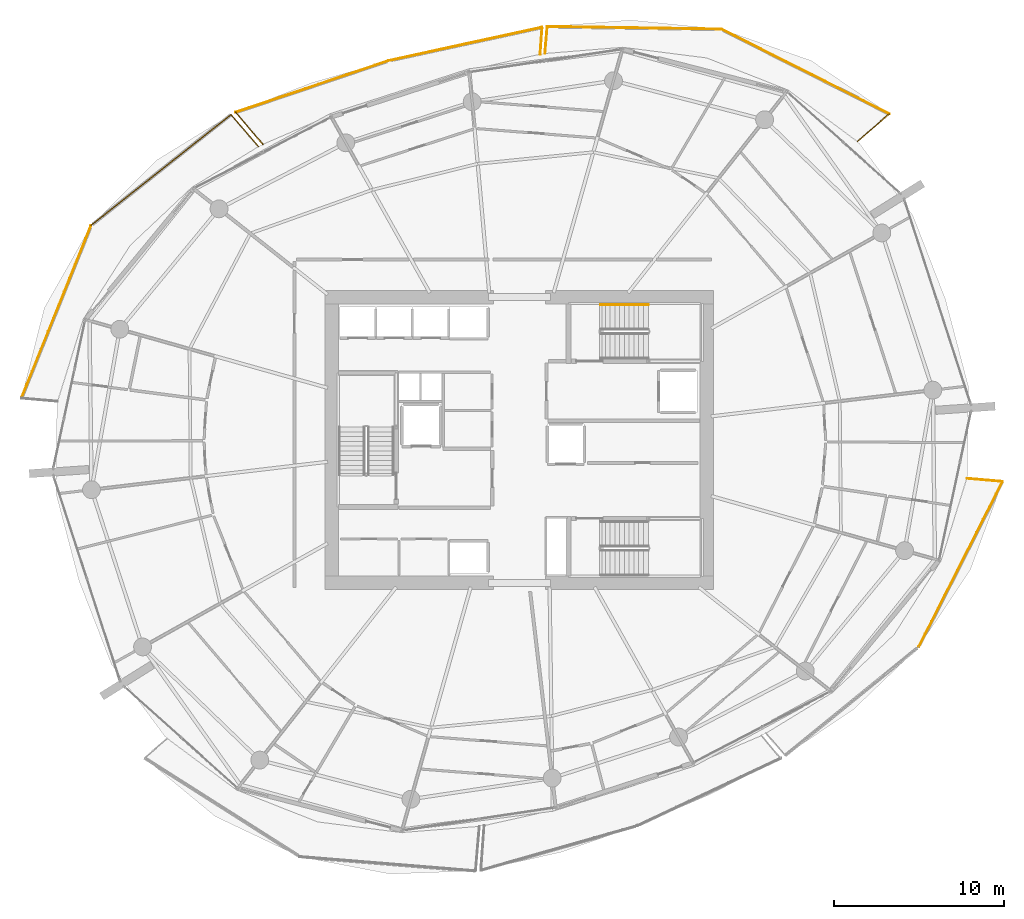
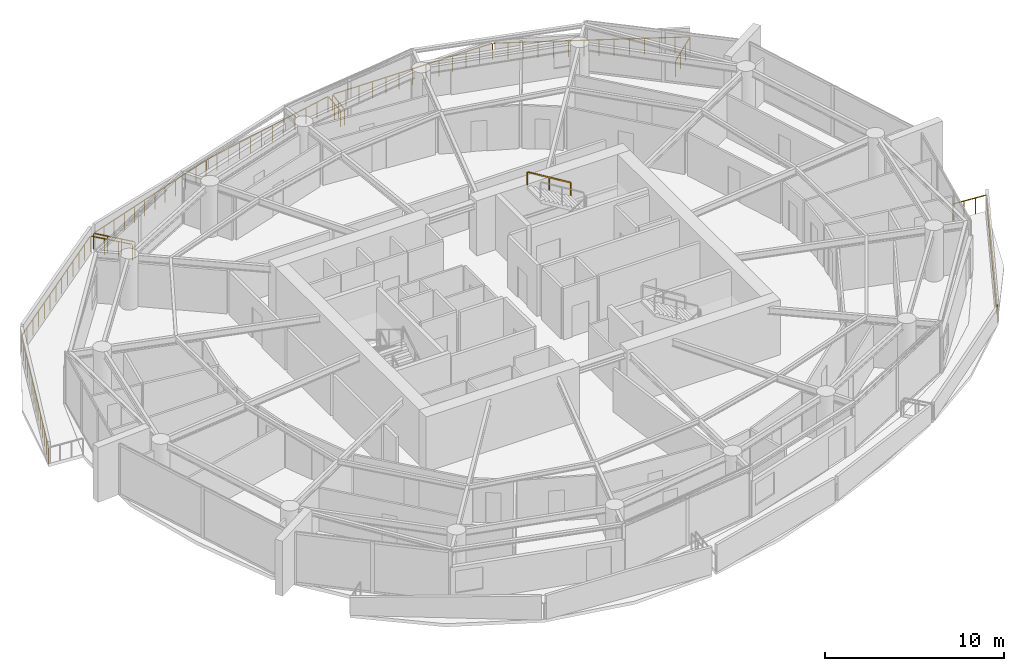
# One storey, part 20 of 20: 14 railings.
"""IFC4 building model written with IfcOpenShell, lengths in metres."""

import ifcopenshell
import ifcopenshell.guid

model = None  # the IFC model being written
_history = None  # IfcOwnerHistory: only IFC2X3 demands one
_inside = {}  # id of a spatial element -> (the spatial element, [elements in it])
_under = {}  # id of a project, library or spatial element -> (it, [spatial elements below it])
_declared = {}  # id of a project -> (the project, [libraries it declares])
_typed = {}  # id of a type object -> (the type object, [elements of that type])
_made_of = {}  # id of a material, layer set ... -> (it, [elements and type objects made of it])


def new_model(schema):
    """Start an empty IFC model of exactly this schema.

    Asked for "IFC4X3", IfcOpenShell would pick the latest addendum, in which some entities
    have other attributes; the version numbers below select the first issue.
    IFC2X3 requires an IfcOwnerHistory on every rooted entity: one is made here for all.
    """
    global model, _history
    if schema == "IFC4X3":
        model = ifcopenshell.file(schema_version=(4, 3, 0, 0))
    else:
        model = ifcopenshell.file(schema=schema)
    _inside.clear()
    _under.clear()
    _declared.clear()
    _typed.clear()
    _made_of.clear()
    _history = None
    if model.schema == "IFC2X3":
        org = make("IfcOrganization", Name="unknown")
        user = make(
            "IfcPersonAndOrganization",
            ThePerson=make("IfcPerson", FamilyName="unknown"),
            TheOrganization=org,
        )
        app = make(
            "IfcApplication",
            ApplicationDeveloper=org,
            Version="unknown",
            ApplicationFullName="unknown",
            ApplicationIdentifier="unknown",
        )
        _history = make(
            "IfcOwnerHistory",
            OwningUser=user,
            OwningApplication=app,
            ChangeAction="ADDED",
            CreationDate=0,
        )
    return model


def make(cls, **values):
    """One entity of the class cls with the attributes given. An attribute that is None is left unset."""
    return model.create_entity(
        cls, **{name: value for name, value in values.items() if value is not None}
    )


def rooted(cls, **values):
    """An entity with a GlobalId (a new one), such as an element, a storey or a relation."""
    return make(cls, GlobalId=ifcopenshell.guid.new(), OwnerHistory=_history, **values)


def si_unit(unit_type, name, prefix=None):
    """IfcSIUnit, for example si_unit("LENGTHUNIT", "METRE", prefix="MILLI")."""
    return make("IfcSIUnit", UnitType=unit_type, Prefix=prefix, Name=name)


def assignment(units):
    """IfcUnitAssignment: the units of a project."""
    return None if units is None else make("IfcUnitAssignment", Units=units)


def point(xyz):
    """IfcCartesianPoint."""
    return None if xyz is None else make("IfcCartesianPoint", Coordinates=xyz)


def direction(xyz):
    """IfcDirection."""
    return None if xyz is None else make("IfcDirection", DirectionRatios=xyz)


def frame(location, z_axis=None, x_axis=None):
    """IfcAxis2Placement3D, a coordinate frame: its origin and axes. An axis left out is left unset."""
    return make(
        "IfcAxis2Placement3D",
        Location=point(location),
        Axis=direction(z_axis),
        RefDirection=direction(x_axis),
    )


def frame_2d(location, x_axis=None):
    """IfcAxis2Placement2D, a coordinate frame in the plane: its origin and x axis."""
    return make(
        "IfcAxis2Placement2D", Location=point(location), RefDirection=direction(x_axis)
    )


def origin():
    """The frame at (0, 0, 0) with its axes left unset."""
    return frame((0.0, 0.0, 0.0))


def origin_2d():
    """The frame at (0, 0) in the plane with its x axis left unset."""
    return frame_2d((0.0, 0.0))


def place(relative_to, where):
    """IfcLocalPlacement: puts the frame where relative to a parent placement (None: the world)."""
    return make(
        "IfcLocalPlacement", PlacementRelTo=relative_to, RelativePlacement=where
    )


def context(
    kind, dimensions, precision=None, world=None, true_north=None, identifier=None
):
    """IfcGeometricRepresentationContext, for example the 3D "Model" context."""
    return make(
        "IfcGeometricRepresentationContext",
        ContextIdentifier=identifier,
        ContextType=kind,
        CoordinateSpaceDimension=dimensions,
        Precision=precision,
        WorldCoordinateSystem=world,
        TrueNorth=true_north,
    )


def subcontext(parent, identifier, kind, view, scale=None):
    """IfcGeometricRepresentationSubContext, for example "Body" below "Model"."""
    return make(
        "IfcGeometricRepresentationSubContext",
        ContextIdentifier=identifier,
        ContextType=kind,
        ParentContext=parent,
        TargetScale=scale,
        TargetView=view,
    )


def project(units=None, contexts=None):
    """IfcProject with its units and contexts."""
    return rooted(
        "IfcProject",
        Name="project",
        RepresentationContexts=contexts,
        UnitsInContext=assignment(units),
    )


def spatial(cls, under=None, at=None, **own):
    """A site, building, storey or space (cls), placed at a placement, below another one or the project."""
    s = rooted(cls, ObjectPlacement=at, **own)
    if under is not None:
        _under.setdefault(under.id(), (under, []))[1].append(s)
    return s


def profile(cls, at=None, kind="AREA", **sizes):
    """A parametric profile (cls). Its sizes go by their IFC names, for example OverallWidth=200.0."""
    return make(cls, ProfileType=kind, Position=at, **sizes)


def rectangle(**sizes):
    """IfcRectangleProfileDef."""
    return profile("IfcRectangleProfileDef", **sizes)


def extrude(swept, where, along, depth):
    """IfcExtrudedAreaSolid: the profile swept, set in the frame where, extruded along a direction by depth."""
    return make(
        "IfcExtrudedAreaSolid",
        SweptArea=swept,
        Position=where,
        ExtrudedDirection=direction(along),
        Depth=depth,
    )


def shape(context_of_items, identifier, shape_type, items):
    """IfcShapeRepresentation: the items that make up one representation, for example the "Body"."""
    return make(
        "IfcShapeRepresentation",
        ContextOfItems=context_of_items,
        RepresentationIdentifier=identifier,
        RepresentationType=shape_type,
        Items=items,
    )


def material(Name=None, Category=None):
    """IfcMaterial."""
    return make("IfcMaterial", Name=Name, Category=Category)


def made_of(thing, what):
    """Note that an element or type object is made of a material, layer set ...; save() writes the relation."""
    if what is not None:
        _made_of.setdefault(what.id(), (what, []))[1].append(thing)
    return thing


def type_object(cls, material=None, **own):
    """A type object (cls), such as IfcWallType, which elements share."""
    return made_of(rooted(cls, **own), material)


def element(
    cls,
    number,
    at=None,
    inside=None,
    cuts=None,
    type_object=None,
    material=None,
    context=None,
    identifier="Body",
    shape_type=None,
    held_by="IfcProductDefinitionShape",
    body=None,
    shapes=None,
    **own,
):
    """One element of the class cls, such as IfcWall. Its Tag is "e" and its number.

    at: its placement. inside: the storey or other place that contains it. cuts: it is an
    opening in that element (IfcRelVoidsElement). A single representation is given by context,
    identifier, shape_type and body (its items); several are given by shapes. held_by: the class
    of the entity that holds the representations. save() writes the other relations.
    """
    e = rooted(cls, Tag="e%d" % number, ObjectPlacement=at, **own)
    if body is not None:
        shapes = [shape(context, identifier, shape_type, body)]
    if shapes is not None:
        e.Representation = make(held_by, Representations=shapes)
    if inside is not None:
        _inside.setdefault(inside.id(), (inside, []))[1].append(e)
    if cuts is not None:
        rooted(
            "IfcRelVoidsElement", RelatingBuildingElement=cuts, RelatedOpeningElement=e
        )
    if type_object is not None:
        _typed.setdefault(type_object.id(), (type_object, []))[1].append(e)
    return made_of(e, material)


def aggregate(whole, parts):
    """IfcRelAggregates: a whole, such as a stair, and the parts it consists of."""
    return rooted("IfcRelAggregates", RelatingObject=whole, RelatedObjects=parts)


def save(model, path):
    """Write the relations noted so far, then the file.

    IfcRelAggregates (storeys below a building ...), IfcRelContainedInSpatialStructure (elements
    in a storey), IfcRelDefinesByType, IfcRelAssociatesMaterial and IfcRelDeclares: one each for
    every whole, place, type object, material and project.
    """
    for whole, parts in _under.values():
        aggregate(whole, parts)
    for where, things in _inside.values():
        rooted(
            "IfcRelContainedInSpatialStructure",
            RelatedElements=things,
            RelatingStructure=where,
        )
    for kind, things in _typed.values():
        rooted("IfcRelDefinesByType", RelatedObjects=things, RelatingType=kind)
    for what, things in _made_of.values():
        rooted("IfcRelAssociatesMaterial", RelatedObjects=things, RelatingMaterial=what)
    for by, libraries in _declared.values():
        rooted("IfcRelDeclares", RelatingContext=by, RelatedDefinitions=libraries)
    model.write(path)


model = new_model("IFC4")

# Units and contexts
model_context = context("Model", 3, precision=1e-05, world=origin(), true_north=direction((0.0, 1.0)))
body_context = subcontext(model_context, "Body", "Model", "MODEL_VIEW")
ifc_project = project(units=[si_unit("LENGTHUNIT", "METRE"), si_unit("AREAUNIT", "SQUARE_METRE"), si_unit("VOLUMEUNIT", "CUBIC_METRE"), si_unit("PLANEANGLEUNIT", "RADIAN"), si_unit("MASSUNIT", "GRAM", prefix="KILO")], contexts=[model_context])

# Site, building, storey
site_placement = place(None, origin())
site = spatial("IfcSite", under=ifc_project, at=site_placement, CompositionType="ELEMENT")
building_placement = place(site_placement, origin())
building = spatial("IfcBuilding", under=site, at=building_placement, Name="Kazma Halo Residences", CompositionType="ELEMENT")
storey_placement = place(building_placement, frame((0.0, 0.0, 142.800048828125)))
storey = spatial("IfcBuildingStorey", under=building, at=storey_placement, Name="L35", CompositionType="ELEMENT", Elevation=142.800048828125)

# Railings
ifc_material_1 = material(Name="Aluminium AW-6063 T6 Brushed Cap Rail", Category="aluminium")
railing_type_1 = type_object("IfcRailingType", Name="RLG-BAL-CAP-1120", PredefinedType="BALUSTRADE", material=ifc_material_1)
railing_1_placement = place(storey_placement, frame((68.294677734375, 59.548583984375, 0.0)))
element("IfcRailing", 1, at=railing_1_placement, inside=storey, type_object=railing_type_1, Name="L35 NE wave balcony guard 1", PredefinedType="BALUSTRADE", context=body_context, shape_type="SweptSolid", body=[
    extrude(rectangle(XDim=0.050048828125, YDim=0.050048828125, at=origin_2d()), frame((0.0322265625, 0.02783203125, 1.09521484375), z_axis=(0.756413211958, 0.65409407028, 0.0), x_axis=(-0.65409407028, 0.756413211958, 0.0)), (0.0, 0.0, 1.0), 2.39404296875),
    extrude(rectangle(XDim=0.0400390625, YDim=0.0400390625, at=origin_2d()), origin(), (0.0, 0.0, 1.0), 1.05810546875),
    extrude(rectangle(XDim=0.0400390625, YDim=0.0400390625, at=origin_2d()), frame((0.625, 0.54052734375, 0.0)), (0.0, 0.0, 1.0), 1.05810546875),
    extrude(rectangle(XDim=0.0400390625, YDim=0.0400390625, at=origin_2d()), frame((1.250244140625, 1.0810546875, 0.0)), (0.0, 0.0, 1.0), 1.05810546875),
    extrude(rectangle(XDim=0.0400390625, YDim=0.0400390625, at=origin_2d()), frame((1.875244140625, 1.62158203125, 0.0)), (0.0, 0.0, 1.0), 1.05810546875),
])
railing_2_placement = place(storey_placement, frame((70.169921875, 61.170166015625, 0.0)))
element("IfcRailing", 2, at=railing_2_placement, inside=storey, type_object=railing_type_1, Name="L35 NE wave balcony guard 2", PredefinedType="BALUSTRADE", context=body_context, shape_type="SweptSolid", body=[
    extrude(rectangle(XDim=0.050048828125, YDim=0.050048828125, at=origin_2d()), frame((-0.0380859375, 0.019287109375, 1.09521484375), z_axis=(-0.892732917122, 0.450586216707, 0.0), x_axis=(-0.450586216707, -0.892732917122, 0.0)), (0.0, 0.0, 1.0), 10.965576171875),
    extrude(rectangle(XDim=0.0400390625, YDim=0.0400390625, at=origin_2d()), origin(), (0.0, 0.0, 1.0), 1.05810546875),
    extrude(rectangle(XDim=0.0400390625, YDim=0.0400390625, at=origin_2d()), frame((-0.7587890625, 0.383056640625, 0.0)), (0.0, 0.0, 1.0), 1.05810546875),
    extrude(rectangle(XDim=0.0400390625, YDim=0.0400390625, at=origin_2d()), frame((-1.517822265625, 0.76611328125, 0.0)), (0.0, 0.0, 1.0), 1.05810546875),
    extrude(rectangle(XDim=0.0400390625, YDim=0.0400390625, at=origin_2d()), frame((-2.276611328125, 1.149169921875, 0.0)), (0.0, 0.0, 1.0), 1.05810546875),
    extrude(rectangle(XDim=0.0400390625, YDim=0.0400390625, at=origin_2d()), frame((-3.035400390625, 1.531982421875, 0.0)), (0.0, 0.0, 1.0), 1.05810546875),
    extrude(rectangle(XDim=0.0400390625, YDim=0.0400390625, at=origin_2d()), frame((-3.79443359375, 1.9150390625, 0.0)), (0.0, 0.0, 1.0), 1.05810546875),
    extrude(rectangle(XDim=0.0400390625, YDim=0.0400390625, at=origin_2d()), frame((-4.55322265625, 2.298095703125, 0.0)), (0.0, 0.0, 1.0), 1.05810546875),
    extrude(rectangle(XDim=0.0400390625, YDim=0.0400390625, at=origin_2d()), frame((-5.31201171875, 2.68115234375, 0.0)), (0.0, 0.0, 1.0), 1.05810546875),
    extrude(rectangle(XDim=0.0400390625, YDim=0.0400390625, at=origin_2d()), frame((-6.07080078125, 3.064208984375, 0.0)), (0.0, 0.0, 1.0), 1.05810546875),
    extrude(rectangle(XDim=0.0400390625, YDim=0.0400390625, at=origin_2d()), frame((-6.829833984375, 3.447265625, 0.0)), (0.0, 0.0, 1.0), 1.05810546875),
    extrude(rectangle(XDim=0.0400390625, YDim=0.0400390625, at=origin_2d()), frame((-7.588623046875, 3.830078125, 0.0)), (0.0, 0.0, 1.0), 1.05810546875),
    extrude(rectangle(XDim=0.0400390625, YDim=0.0400390625, at=origin_2d()), frame((-8.347412109375, 4.213134765625, 0.0)), (0.0, 0.0, 1.0), 1.05810546875),
    extrude(rectangle(XDim=0.0400390625, YDim=0.0400390625, at=origin_2d()), frame((-9.1064453125, 4.59619140625, 0.0)), (0.0, 0.0, 1.0), 1.05810546875),
    extrude(rectangle(XDim=0.0400390625, YDim=0.0400390625, at=origin_2d()), frame((-9.865234375, 4.979248046875, 0.0)), (0.0, 0.0, 1.0), 1.05810546875),
])
railing_3_placement = place(storey_placement, frame((60.3046875, 66.1494140625, 0.0)))
element("IfcRailing", 3, at=railing_3_placement, inside=storey, type_object=railing_type_1, Name="L35 NE wave balcony guard 3", PredefinedType="BALUSTRADE", context=body_context, shape_type="SweptSolid", body=[
    extrude(rectangle(XDim=0.050048828125, YDim=0.050048828125, at=origin_2d()), frame((-0.04248046875, 0.000732421875, 1.09521484375), z_axis=(-0.999886550077, 0.015062767851, 0.0), x_axis=(-0.015062767851, -0.999886550077, 0.0)), (0.0, 0.0, 1.0), 10.158447265625),
    extrude(rectangle(XDim=0.0400390625, YDim=0.0400390625, at=origin_2d()), origin(), (0.0, 0.0, 1.0), 1.05810546875),
    extrude(rectangle(XDim=0.0400390625, YDim=0.0400390625, at=origin_2d()), frame((-0.853515625, 0.012939453125, 0.0)), (0.0, 0.0, 1.0), 1.05810546875),
    extrude(rectangle(XDim=0.0400390625, YDim=0.0400390625, at=origin_2d()), frame((-1.70703125, 0.025634765625, 0.0)), (0.0, 0.0, 1.0), 1.05810546875),
    extrude(rectangle(XDim=0.0400390625, YDim=0.0400390625, at=origin_2d()), frame((-2.560546875, 0.03857421875, 0.0)), (0.0, 0.0, 1.0), 1.05810546875),
    extrude(rectangle(XDim=0.0400390625, YDim=0.0400390625, at=origin_2d()), frame((-3.4140625, 0.051513671875, 0.0)), (0.0, 0.0, 1.0), 1.05810546875),
    extrude(rectangle(XDim=0.0400390625, YDim=0.0400390625, at=origin_2d()), frame((-4.267578125, 0.064208984375, 0.0)), (0.0, 0.0, 1.0), 1.05810546875),
    extrude(rectangle(XDim=0.0400390625, YDim=0.0400390625, at=origin_2d()), frame((-5.12109375, 0.0771484375, 0.0)), (0.0, 0.0, 1.0), 1.05810546875),
    extrude(rectangle(XDim=0.0400390625, YDim=0.0400390625, at=origin_2d()), frame((-5.974853515625, 0.090087890625, 0.0)), (0.0, 0.0, 1.0), 1.05810546875),
    extrude(rectangle(XDim=0.0400390625, YDim=0.0400390625, at=origin_2d()), frame((-6.828369140625, 0.102783203125, 0.0)), (0.0, 0.0, 1.0), 1.05810546875),
    extrude(rectangle(XDim=0.0400390625, YDim=0.0400390625, at=origin_2d()), frame((-7.681884765625, 0.11572265625, 0.0)), (0.0, 0.0, 1.0), 1.05810546875),
    extrude(rectangle(XDim=0.0400390625, YDim=0.0400390625, at=origin_2d()), frame((-8.535400390625, 0.128662109375, 0.0)), (0.0, 0.0, 1.0), 1.05810546875),
    extrude(rectangle(XDim=0.0400390625, YDim=0.0400390625, at=origin_2d()), frame((-9.388916015625, 0.141357421875, 0.0)), (0.0, 0.0, 1.0), 1.05810546875),
    extrude(rectangle(XDim=0.0400390625, YDim=0.0400390625, at=origin_2d()), frame((-10.242431640625, 0.154296875, 0.0)), (0.0, 0.0, 1.0), 1.05810546875),
])
railing_4_placement = place(storey_placement, frame((50.062255859375, 66.3037109375, 0.0)))
element("IfcRailing", 4, at=railing_4_placement, inside=storey, type_object=railing_type_1, Name="L35 NE wave balcony guard 4", PredefinedType="BALUSTRADE", context=body_context, shape_type="SweptSolid", body=[
    extrude(rectangle(XDim=0.050048828125, YDim=0.050048828125, at=origin_2d()), frame((-0.003662109375, -0.04248046875, 1.09521484375), z_axis=(-0.084507718361, -0.996422824677, 0.0), x_axis=(0.996422824677, -0.084507718361, 0.0)), (0.0, 0.0, 1.0), 1.50390625),
    extrude(rectangle(XDim=0.0400390625, YDim=0.0400390625, at=origin_2d()), origin(), (0.0, 0.0, 1.0), 1.05810546875),
    extrude(rectangle(XDim=0.0400390625, YDim=0.0400390625, at=origin_2d()), frame((-0.067138671875, -0.79150390625, 0.0)), (0.0, 0.0, 1.0), 1.05810546875),
    extrude(rectangle(XDim=0.0400390625, YDim=0.0400390625, at=origin_2d()), frame((-0.13427734375, -1.583251953125, 0.0)), (0.0, 0.0, 1.0), 1.05810546875),
])
railing_5_placement = place(storey_placement, frame((49.6455078125, 64.67822265625, 0.0)))
element("IfcRailing", 5, at=railing_5_placement, inside=storey, type_object=railing_type_1, Name="L35 NNW wave balcony guard 1", PredefinedType="BALUSTRADE", context=body_context, shape_type="SweptSolid", body=[
    extrude(rectangle(XDim=0.050048828125, YDim=0.050048828125, at=origin_2d()), frame((0.003173828125, 0.04248046875, 1.09521484375), z_axis=(0.072418651554, 0.997374322362, 0.0), x_axis=(-0.997374322362, 0.072418651554, 0.0)), (0.0, 0.0, 1.0), 1.49951171875),
    extrude(rectangle(XDim=0.0400390625, YDim=0.0400390625, at=origin_2d()), origin(), (0.0, 0.0, 1.0), 1.05810546875),
    extrude(rectangle(XDim=0.0400390625, YDim=0.0400390625, at=origin_2d()), frame((0.057373046875, 0.7900390625, 0.0)), (0.0, 0.0, 1.0), 1.05810546875),
    extrude(rectangle(XDim=0.0400390625, YDim=0.0400390625, at=origin_2d()), frame((0.11474609375, 1.580322265625, 0.0)), (0.0, 0.0, 1.0), 1.05810546875),
])
railing_6_placement = place(storey_placement, frame((49.76025390625, 66.258544921875, 0.0)))
element("IfcRailing", 6, at=railing_6_placement, inside=storey, type_object=railing_type_1, Name="L35 NNW wave balcony guard 2", PredefinedType="BALUSTRADE", context=body_context, shape_type="SweptSolid", body=[
    extrude(rectangle(XDim=0.050048828125, YDim=0.050048828125, at=origin_2d()), frame((-0.04150390625, -0.009033203125, 1.09521484375), z_axis=(-0.977179471734, -0.212415347895, 0.0), x_axis=(0.212415347895, -0.977179471734, 0.0)), (0.0, 0.0, 1.0), 9.131591796875),
    extrude(rectangle(XDim=0.0400390625, YDim=0.0400390625, at=origin_2d()), origin(), (0.0, 0.0, 1.0), 1.05810546875),
    extrude(rectangle(XDim=0.0400390625, YDim=0.0400390625, at=origin_2d()), frame((-0.81884765625, -0.177978515625, 0.0)), (0.0, 0.0, 1.0), 1.05810546875),
    extrude(rectangle(XDim=0.0400390625, YDim=0.0400390625, at=origin_2d()), frame((-1.637451171875, -0.35595703125, 0.0)), (0.0, 0.0, 1.0), 1.05810546875),
    extrude(rectangle(XDim=0.0400390625, YDim=0.0400390625, at=origin_2d()), frame((-2.456298828125, -0.533935546875, 0.0)), (0.0, 0.0, 1.0), 1.05810546875),
    extrude(rectangle(XDim=0.0400390625, YDim=0.0400390625, at=origin_2d()), frame((-3.275146484375, -0.7119140625, 0.0)), (0.0, 0.0, 1.0), 1.05810546875),
    extrude(rectangle(XDim=0.0400390625, YDim=0.0400390625, at=origin_2d()), frame((-4.09375, -0.889892578125, 0.0)), (0.0, 0.0, 1.0), 1.05810546875),
    extrude(rectangle(XDim=0.0400390625, YDim=0.0400390625, at=origin_2d()), frame((-4.91259765625, -1.06787109375, 0.0)), (0.0, 0.0, 1.0), 1.05810546875),
    extrude(rectangle(XDim=0.0400390625, YDim=0.0400390625, at=origin_2d()), frame((-5.731201171875, -1.245849609375, 0.0)), (0.0, 0.0, 1.0), 1.05810546875),
    extrude(rectangle(XDim=0.0400390625, YDim=0.0400390625, at=origin_2d()), frame((-6.550048828125, -1.423828125, 0.0)), (0.0, 0.0, 1.0), 1.05810546875),
    extrude(rectangle(XDim=0.0400390625, YDim=0.0400390625, at=origin_2d()), frame((-7.368896484375, -1.601806640625, 0.0)), (0.0, 0.0, 1.0), 1.05810546875),
    extrude(rectangle(XDim=0.0400390625, YDim=0.0400390625, at=origin_2d()), frame((-8.1875, -1.77978515625, 0.0)), (0.0, 0.0, 1.0), 1.05810546875),
    extrude(rectangle(XDim=0.0400390625, YDim=0.0400390625, at=origin_2d()), frame((-9.00634765625, -1.957763671875, 0.0)), (0.0, 0.0, 1.0), 1.05810546875),
])
railing_7_placement = place(storey_placement, frame((40.75390625, 64.30078125, 0.0)))
element("IfcRailing", 7, at=railing_7_placement, inside=storey, type_object=railing_type_1, Name="L35 NNW wave balcony guard 3", PredefinedType="BALUSTRADE", context=body_context, shape_type="SweptSolid", body=[
    extrude(rectangle(XDim=0.050048828125, YDim=0.050048828125, at=origin_2d()), frame((-0.040283203125, -0.013671875, 1.09521484375), z_axis=(-0.947577968419, -0.319524637183, 0.0), x_axis=(0.319524637183, -0.947577968419, 0.0)), (0.0, 0.0, 1.0), 9.417724609375),
    extrude(rectangle(XDim=0.0400390625, YDim=0.0400390625, at=origin_2d()), origin(), (0.0, 0.0, 1.0), 1.05810546875),
    extrude(rectangle(XDim=0.0400390625, YDim=0.0400390625, at=origin_2d()), frame((-0.818603515625, -0.276123046875, 0.0)), (0.0, 0.0, 1.0), 1.05810546875),
    extrude(rectangle(XDim=0.0400390625, YDim=0.0400390625, at=origin_2d()), frame((-1.63720703125, -0.552001953125, 0.0)), (0.0, 0.0, 1.0), 1.05810546875),
    extrude(rectangle(XDim=0.0400390625, YDim=0.0400390625, at=origin_2d()), frame((-2.455810546875, -0.828125, 0.0)), (0.0, 0.0, 1.0), 1.05810546875),
    extrude(rectangle(XDim=0.0400390625, YDim=0.0400390625, at=origin_2d()), frame((-3.2744140625, -1.104248046875, 0.0)), (0.0, 0.0, 1.0), 1.05810546875),
    extrude(rectangle(XDim=0.0400390625, YDim=0.0400390625, at=origin_2d()), frame((-4.093017578125, -1.380126953125, 0.0)), (0.0, 0.0, 1.0), 1.05810546875),
    extrude(rectangle(XDim=0.0400390625, YDim=0.0400390625, at=origin_2d()), frame((-4.91162109375, -1.65625, 0.0)), (0.0, 0.0, 1.0), 1.05810546875),
    extrude(rectangle(XDim=0.0400390625, YDim=0.0400390625, at=origin_2d()), frame((-5.730224609375, -1.93212890625, 0.0)), (0.0, 0.0, 1.0), 1.05810546875),
    extrude(rectangle(XDim=0.0400390625, YDim=0.0400390625, at=origin_2d()), frame((-6.548828125, -2.208251953125, 0.0)), (0.0, 0.0, 1.0), 1.05810546875),
    extrude(rectangle(XDim=0.0400390625, YDim=0.0400390625, at=origin_2d()), frame((-7.367431640625, -2.484375, 0.0)), (0.0, 0.0, 1.0), 1.05810546875),
    extrude(rectangle(XDim=0.0400390625, YDim=0.0400390625, at=origin_2d()), frame((-8.18603515625, -2.76025390625, 0.0)), (0.0, 0.0, 1.0), 1.05810546875),
    extrude(rectangle(XDim=0.0400390625, YDim=0.0400390625, at=origin_2d()), frame((-9.004638671875, -3.036376953125, 0.0)), (0.0, 0.0, 1.0), 1.05810546875),
])
railing_8_placement = place(storey_placement, frame((31.749267578125, 61.264404296875, 0.0)))
element("IfcRailing", 8, at=railing_8_placement, inside=storey, type_object=railing_type_1, Name="L35 NNW wave balcony guard 4", PredefinedType="BALUSTRADE", context=body_context, shape_type="SweptSolid", body=[
    extrude(rectangle(XDim=0.050048828125, YDim=0.050048828125, at=origin_2d()), frame((0.02734375, -0.032470703125, 1.09521484375), z_axis=(0.644760664692, -0.764384514015, 0.0), x_axis=(0.764384514015, 0.644760664692, 0.0)), (0.0, 0.0, 1.0), 2.38037109375),
    extrude(rectangle(XDim=0.0400390625, YDim=0.0400390625, at=origin_2d()), origin(), (0.0, 0.0, 1.0), 1.05810546875),
    extrude(rectangle(XDim=0.0400390625, YDim=0.0400390625, at=origin_2d()), frame((0.52978515625, -0.628173828125, 0.0)), (0.0, 0.0, 1.0), 1.05810546875),
    extrude(rectangle(XDim=0.0400390625, YDim=0.0400390625, at=origin_2d()), frame((1.059814453125, -1.25634765625, 0.0)), (0.0, 0.0, 1.0), 1.05810546875),
    extrude(rectangle(XDim=0.0400390625, YDim=0.0400390625, at=origin_2d()), frame((1.589599609375, -1.884521484375, 0.0)), (0.0, 0.0, 1.0), 1.05810546875),
])
railing_9_placement = place(storey_placement, frame((33.08544921875, 59.248046875, 0.0)))
element("IfcRailing", 9, at=railing_9_placement, inside=storey, type_object=railing_type_1, Name="L35 NW wave balcony guard 1", PredefinedType="BALUSTRADE", context=body_context, shape_type="SweptSolid", body=[
    extrude(rectangle(XDim=0.050048828125, YDim=0.050048828125, at=origin_2d()), frame((-0.02783203125, 0.0322265625, 1.09521484375), z_axis=(-0.65402422684, 0.756473602121, 0.0), x_axis=(-0.756473602121, -0.65402422684, 0.0)), (0.0, 0.0, 1.0), 2.39794921875),
    extrude(rectangle(XDim=0.0400390625, YDim=0.0400390625, at=origin_2d()), origin(), (0.0, 0.0, 1.0), 1.05810546875),
    extrude(rectangle(XDim=0.0400390625, YDim=0.0400390625, at=origin_2d()), frame((-0.541259765625, 0.626220703125, 0.0)), (0.0, 0.0, 1.0), 1.05810546875),
    extrude(rectangle(XDim=0.0400390625, YDim=0.0400390625, at=origin_2d()), frame((-1.082763671875, 1.252197265625, 0.0)), (0.0, 0.0, 1.0), 1.05810546875),
    extrude(rectangle(XDim=0.0400390625, YDim=0.0400390625, at=origin_2d()), frame((-1.6240234375, 1.87841796875, 0.0)), (0.0, 0.0, 1.0), 1.05810546875),
])
railing_10_placement = place(storey_placement, frame((31.46142578125, 61.12646484375, 0.0)))
element("IfcRailing", 10, at=railing_10_placement, inside=storey, type_object=railing_type_1, Name="L35 NW wave balcony guard 2", PredefinedType="BALUSTRADE", context=body_context, shape_type="SweptSolid", body=[
    extrude(rectangle(XDim=0.050048828125, YDim=0.050048828125, at=origin_2d()), frame((-0.033447265625, -0.0263671875, 1.09521484375), z_axis=(-0.783646207233, -0.621207390401, 0.0), x_axis=(0.621207390401, -0.783646207233, 0.0)), (0.0, 0.0, 1.0), 10.399658203125),
    extrude(rectangle(XDim=0.0400390625, YDim=0.0400390625, at=origin_2d()), origin(), (0.0, 0.0, 1.0), 1.05810546875),
    extrude(rectangle(XDim=0.0400390625, YDim=0.0400390625, at=origin_2d()), frame((-0.6845703125, -0.542724609375, 0.0)), (0.0, 0.0, 1.0), 1.05810546875),
    extrude(rectangle(XDim=0.0400390625, YDim=0.0400390625, at=origin_2d()), frame((-1.369384765625, -1.08544921875, 0.0)), (0.0, 0.0, 1.0), 1.05810546875),
    extrude(rectangle(XDim=0.0400390625, YDim=0.0400390625, at=origin_2d()), frame((-2.05419921875, -1.62841796875, 0.0)), (0.0, 0.0, 1.0), 1.05810546875),
    extrude(rectangle(XDim=0.0400390625, YDim=0.0400390625, at=origin_2d()), frame((-2.73876953125, -2.171142578125, 0.0)), (0.0, 0.0, 1.0), 1.05810546875),
    extrude(rectangle(XDim=0.0400390625, YDim=0.0400390625, at=origin_2d()), frame((-3.42333984375, -2.7138671875, 0.0)), (0.0, 0.0, 1.0), 1.05810546875),
    extrude(rectangle(XDim=0.0400390625, YDim=0.0400390625, at=origin_2d()), frame((-4.108154296875, -3.256591796875, 0.0)), (0.0, 0.0, 1.0), 1.05810546875),
    extrude(rectangle(XDim=0.0400390625, YDim=0.0400390625, at=origin_2d()), frame((-4.79296875, -3.79931640625, 0.0)), (0.0, 0.0, 1.0), 1.05810546875),
    extrude(rectangle(XDim=0.0400390625, YDim=0.0400390625, at=origin_2d()), frame((-5.4775390625, -4.342041015625, 0.0)), (0.0, 0.0, 1.0), 1.05810546875),
    extrude(rectangle(XDim=0.0400390625, YDim=0.0400390625, at=origin_2d()), frame((-6.162109375, -4.884765625, 0.0)), (0.0, 0.0, 1.0), 1.05810546875),
    extrude(rectangle(XDim=0.0400390625, YDim=0.0400390625, at=origin_2d()), frame((-6.846923828125, -5.427734375, 0.0)), (0.0, 0.0, 1.0), 1.05810546875),
    extrude(rectangle(XDim=0.0400390625, YDim=0.0400390625, at=origin_2d()), frame((-7.53173828125, -5.970458984375, 0.0)), (0.0, 0.0, 1.0), 1.05810546875),
    extrude(rectangle(XDim=0.0400390625, YDim=0.0400390625, at=origin_2d()), frame((-8.21630859375, -6.51318359375, 0.0)), (0.0, 0.0, 1.0), 1.05810546875),
])
railing_11_placement = place(storey_placement, frame((23.2451171875, 54.61328125, 0.0)))
element("IfcRailing", 11, at=railing_11_placement, inside=storey, type_object=railing_type_1, Name="L35 NW wave balcony guard 3", PredefinedType="BALUSTRADE", context=body_context, shape_type="SweptSolid", body=[
    extrude(rectangle(XDim=0.050048828125, YDim=0.050048828125, at=origin_2d()), frame((-0.015869140625, -0.03955078125, 1.09521484375), z_axis=(-0.373954738113, -0.927446954733, 0.0), x_axis=(0.927446954733, -0.373954738113, 0.0)), (0.0, 0.0, 1.0), 10.875244140625),
    extrude(rectangle(XDim=0.0400390625, YDim=0.0400390625, at=origin_2d()), origin(), (0.0, 0.0, 1.0), 1.05810546875),
    extrude(rectangle(XDim=0.0400390625, YDim=0.0400390625, at=origin_2d()), frame((-0.315185546875, -0.781982421875, 0.0)), (0.0, 0.0, 1.0), 1.05810546875),
    extrude(rectangle(XDim=0.0400390625, YDim=0.0400390625, at=origin_2d()), frame((-0.630615234375, -1.56396484375, 0.0)), (0.0, 0.0, 1.0), 1.05810546875),
    extrude(rectangle(XDim=0.0400390625, YDim=0.0400390625, at=origin_2d()), frame((-0.94580078125, -2.345703125, 0.0)), (0.0, 0.0, 1.0), 1.05810546875),
    extrude(rectangle(XDim=0.0400390625, YDim=0.0400390625, at=origin_2d()), frame((-1.26123046875, -3.127685546875, 0.0)), (0.0, 0.0, 1.0), 1.05810546875),
    extrude(rectangle(XDim=0.0400390625, YDim=0.0400390625, at=origin_2d()), frame((-1.576416015625, -3.90966796875, 0.0)), (0.0, 0.0, 1.0), 1.05810546875),
    extrude(rectangle(XDim=0.0400390625, YDim=0.0400390625, at=origin_2d()), frame((-1.8916015625, -4.691650390625, 0.0)), (0.0, 0.0, 1.0), 1.05810546875),
    extrude(rectangle(XDim=0.0400390625, YDim=0.0400390625, at=origin_2d()), frame((-2.20703125, -5.473388671875, 0.0)), (0.0, 0.0, 1.0), 1.05810546875),
    extrude(rectangle(XDim=0.0400390625, YDim=0.0400390625, at=origin_2d()), frame((-2.522216796875, -6.25537109375, 0.0)), (0.0, 0.0, 1.0), 1.05810546875),
    extrude(rectangle(XDim=0.0400390625, YDim=0.0400390625, at=origin_2d()), frame((-2.83740234375, -7.037353515625, 0.0)), (0.0, 0.0, 1.0), 1.05810546875),
    extrude(rectangle(XDim=0.0400390625, YDim=0.0400390625, at=origin_2d()), frame((-3.15283203125, -7.8193359375, 0.0)), (0.0, 0.0, 1.0), 1.05810546875),
    extrude(rectangle(XDim=0.0400390625, YDim=0.0400390625, at=origin_2d()), frame((-3.468017578125, -8.60107421875, 0.0)), (0.0, 0.0, 1.0), 1.05810546875),
    extrude(rectangle(XDim=0.0400390625, YDim=0.0400390625, at=origin_2d()), frame((-3.783447265625, -9.383056640625, 0.0)), (0.0, 0.0, 1.0), 1.05810546875),
    extrude(rectangle(XDim=0.0400390625, YDim=0.0400390625, at=origin_2d()), frame((-4.0986328125, -10.1650390625, 0.0)), (0.0, 0.0, 1.0), 1.05810546875),
])
railing_12_placement = place(storey_placement, frame((71.898681640625, 29.822998046875, 0.0)))
element("IfcRailing", 12, at=railing_12_placement, inside=storey, type_object=railing_type_1, Name="L35 SE wave balcony guard 3", PredefinedType="BALUSTRADE", context=body_context, shape_type="SweptSolid", body=[
    extrude(rectangle(XDim=0.050048828125, YDim=0.050048828125, at=origin_2d()), frame((0.019287109375, 0.037841796875, 1.09521484375), z_axis=(0.452406315064, 0.891811934261, 0.0), x_axis=(-0.891811934261, 0.452406315064, 0.0)), (0.0, 0.0, 1.0), 10.825439453125),
    extrude(rectangle(XDim=0.0400390625, YDim=0.0400390625, at=origin_2d()), origin(), (0.0, 0.0, 1.0), 1.05810546875),
    extrude(rectangle(XDim=0.0400390625, YDim=0.0400390625, at=origin_2d()), frame((0.379638671875, 0.74853515625, 0.0)), (0.0, 0.0, 1.0), 1.05810546875),
    extrude(rectangle(XDim=0.0400390625, YDim=0.0400390625, at=origin_2d()), frame((0.75927734375, 1.4970703125, 0.0)), (0.0, 0.0, 1.0), 1.05810546875),
    extrude(rectangle(XDim=0.0400390625, YDim=0.0400390625, at=origin_2d()), frame((1.13916015625, 2.245361328125, 0.0)), (0.0, 0.0, 1.0), 1.05810546875),
    extrude(rectangle(XDim=0.0400390625, YDim=0.0400390625, at=origin_2d()), frame((1.518798828125, 2.993896484375, 0.0)), (0.0, 0.0, 1.0), 1.05810546875),
    extrude(rectangle(XDim=0.0400390625, YDim=0.0400390625, at=origin_2d()), frame((1.8984375, 3.742431640625, 0.0)), (0.0, 0.0, 1.0), 1.05810546875),
    extrude(rectangle(XDim=0.0400390625, YDim=0.0400390625, at=origin_2d()), frame((2.278076171875, 4.490966796875, 0.0)), (0.0, 0.0, 1.0), 1.05810546875),
    extrude(rectangle(XDim=0.0400390625, YDim=0.0400390625, at=origin_2d()), frame((2.657958984375, 5.2392578125, 0.0)), (0.0, 0.0, 1.0), 1.05810546875),
    extrude(rectangle(XDim=0.0400390625, YDim=0.0400390625, at=origin_2d()), frame((3.03759765625, 5.98779296875, 0.0)), (0.0, 0.0, 1.0), 1.05810546875),
    extrude(rectangle(XDim=0.0400390625, YDim=0.0400390625, at=origin_2d()), frame((3.417236328125, 6.736328125, 0.0)), (0.0, 0.0, 1.0), 1.05810546875),
    extrude(rectangle(XDim=0.0400390625, YDim=0.0400390625, at=origin_2d()), frame((3.796875, 7.48486328125, 0.0)), (0.0, 0.0, 1.0), 1.05810546875),
    extrude(rectangle(XDim=0.0400390625, YDim=0.0400390625, at=origin_2d()), frame((4.1767578125, 8.233154296875, 0.0)), (0.0, 0.0, 1.0), 1.05810546875),
    extrude(rectangle(XDim=0.0400390625, YDim=0.0400390625, at=origin_2d()), frame((4.556396484375, 8.981689453125, 0.0)), (0.0, 0.0, 1.0), 1.05810546875),
    extrude(rectangle(XDim=0.0400390625, YDim=0.0400390625, at=origin_2d()), frame((4.93603515625, 9.730224609375, 0.0)), (0.0, 0.0, 1.0), 1.05810546875),
])
railing_13_placement = place(storey_placement, frame((76.834716796875, 39.55322265625, 0.0)))
element("IfcRailing", 13, at=railing_13_placement, inside=storey, type_object=railing_type_1, Name="L35 SE wave balcony guard 4", PredefinedType="BALUSTRADE", context=body_context, shape_type="SweptSolid", body=[
    extrude(rectangle(XDim=0.050048828125, YDim=0.050048828125, at=origin_2d()), frame((-0.04248046875, 0.003662109375, 1.09521484375), z_axis=(-0.996412768722, 0.084626203548, 0.0), x_axis=(-0.084626203548, -0.996412768722, 0.0)), (0.0, 0.0, 1.0), 2.023681640625),
    extrude(rectangle(XDim=0.0400390625, YDim=0.0400390625, at=origin_2d()), origin(), (0.0, 0.0, 1.0), 1.05810546875),
    extrude(rectangle(XDim=0.0400390625, YDim=0.0400390625, at=origin_2d()), frame((-0.700439453125, 0.0595703125, 0.0)), (0.0, 0.0, 1.0), 1.05810546875),
    extrude(rectangle(XDim=0.0400390625, YDim=0.0400390625, at=origin_2d()), frame((-1.40087890625, 0.118896484375, 0.0)), (0.0, 0.0, 1.0), 1.05810546875),
    extrude(rectangle(XDim=0.0400390625, YDim=0.0400390625, at=origin_2d()), frame((-2.101318359375, 0.178466796875, 0.0)), (0.0, 0.0, 1.0), 1.05810546875),
])
ifc_material_2 = material(Name="Brushed Stainless Steel", Category="steel")
railing_type_2 = type_object("IfcRailingType", Name="RLG-STAIR-HND-900", PredefinedType="HANDRAIL", material=ifc_material_2)
railing_14_placement = place(storey_placement, frame((56.0, 49.949951171875, 2.04541015625)))
element("IfcRailing", 14, at=railing_14_placement, inside=storey, type_object=railing_type_2, Name="L35 ST-02 stair handrail 2", PredefinedType="HANDRAIL", context=body_context, shape_type="SweptSolid", body=[
    extrude(rectangle(XDim=0.050048828125, YDim=0.050048828125, at=origin_2d()), frame((-0.036376953125, 0.0, 0.89697265625), z_axis=(-0.854169791009, 0.0, 0.51999420009), x_axis=(0.0, -1.0, 0.0)), (0.0, 0.0, 1.0), 3.193115234375),
    extrude(rectangle(XDim=0.0400390625, YDim=0.0400390625, at=origin_2d()), origin(), (0.0, 0.0, 1.0), 0.837890625),
    extrude(rectangle(XDim=0.0400390625, YDim=0.0400390625, at=origin_2d()), frame((-1.39990234375, 0.0, 0.852294921875)), (0.0, 0.0, 1.0), 0.837890625),
    extrude(rectangle(XDim=0.0400390625, YDim=0.0400390625, at=origin_2d()), frame((-2.800048828125, 0.0, 1.70458984375)), (0.0, 0.0, 1.0), 0.837890625),
])

save(model, "model.ifc")
